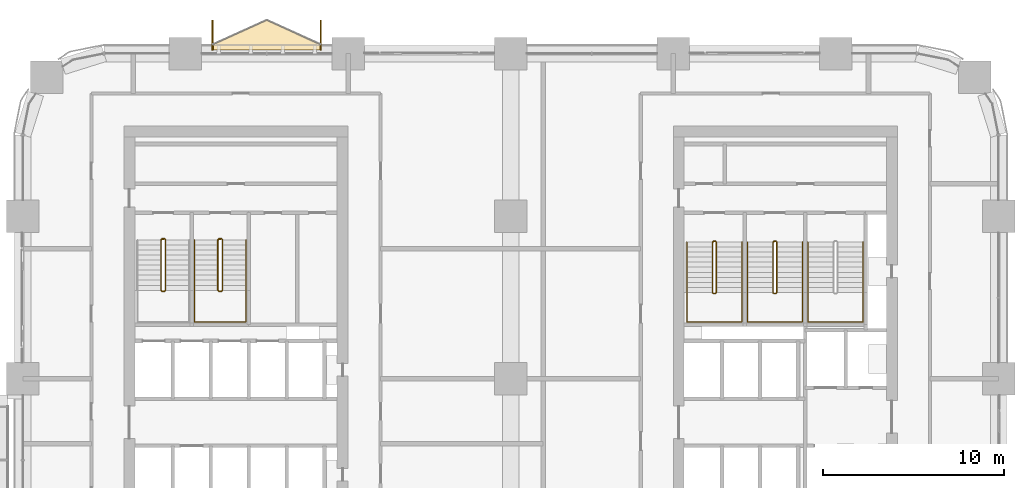
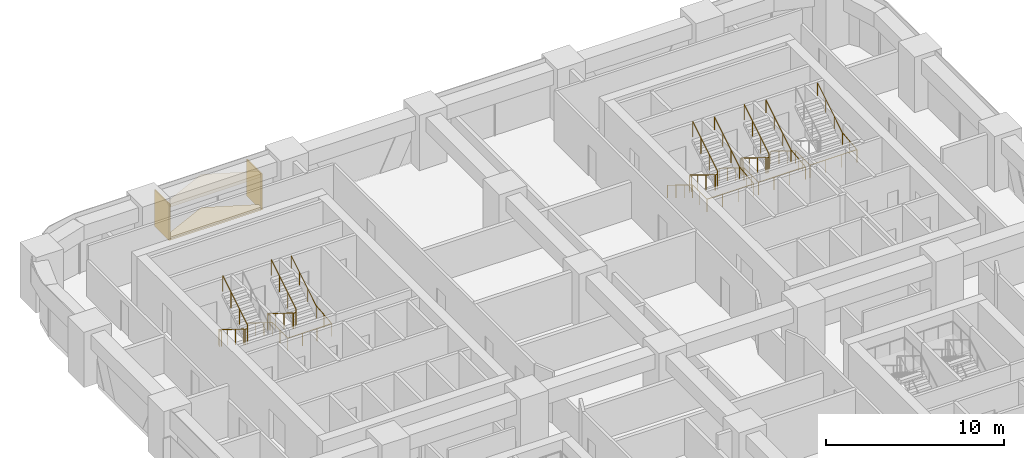
# One storey, part 22 of 23: 8 railings, 4 coverings.
"""IFC4 building model written with IfcOpenShell, lengths in metres."""

from ifc_helpers import new_model, si_unit, direction, frame, origin, origin_2d, place, context, subcontext, project, spatial, polyline, circle, outline, extrude, material, layer, layer_set, type_object, element, save


model = new_model("IFC4")

# Units and contexts
model_context = context("Model", 3, precision=1e-05, world=origin(), true_north=direction((0.0, 1.0)))
body_context = subcontext(model_context, "Body", "Model", "MODEL_VIEW")
ifc_project = project(units=[si_unit("LENGTHUNIT", "METRE"), si_unit("AREAUNIT", "SQUARE_METRE"), si_unit("VOLUMEUNIT", "CUBIC_METRE"), si_unit("PLANEANGLEUNIT", "RADIAN"), si_unit("MASSUNIT", "GRAM", prefix="KILO")], contexts=[model_context])

# Site, building, storey
site_placement = place(None, origin())
site = spatial("IfcSite", under=ifc_project, at=site_placement, CompositionType="ELEMENT")
building_placement = place(site_placement, origin())
building = spatial("IfcBuilding", under=site, at=building_placement, Name="Tessera Arch", CompositionType="ELEMENT")
storey_placement = place(building_placement, frame((0.0, 0.0, 57.60009765625)))
storey = spatial("IfcBuildingStorey", under=building, at=storey_placement, Name="L12", CompositionType="ELEMENT", Elevation=57.60009765625)

# Railings
ifc_material_1 = material(Name="Painted steel balustrade", Category="steel")
railing_type_1 = type_object("IfcRailingType", Name="Stair guard 1100", PredefinedType="GUARDRAIL", material=ifc_material_1)
railing_1_placement = place(storey_placement, frame((38.219970703125, 43.6298828125, 0.0)))
element("IfcRailing", 1, at=railing_1_placement, inside=storey, type_object=railing_type_1, Name="L12 S1a stair guard 1", PredefinedType="GUARDRAIL", context=body_context, shape_type="SweptSolid", body=[
    extrude(circle(Radius=0.02392578125, at=origin_2d()), frame((-0.00390625, 0.0, 1.076171875), z_axis=(1.0, 0.0, 0.0), x_axis=(0.0, 1.0, 0.0)), (0.0, 0.0, 1.0), 0.1181640625),
    extrude(circle(Radius=0.02392578125, at=origin_2d()), frame((0.11279296875, 0.000732421875, 1.0732421875), z_axis=(-0.665449600336, -0.206938595226, 0.717184249143), x_axis=(0.296948579431, -0.954893471113, 0.0)), (0.0, 0.0, 1.0), 0.248779296875),
    extrude(circle(Radius=0.02392578125, at=origin_2d()), frame((-0.050048828125, -0.04638671875, 1.24658203125), z_axis=(0.0, -0.851089632645, 0.525020415988), x_axis=(1.0, 0.0, 0.0)), (0.0, 0.0, 1.0), 3.2978515625),
    extrude(circle(Radius=0.02392578125, at=origin_2d()), frame((-0.052978515625, -2.846923828125, 2.97607421875), z_axis=(0.707106781187, -0.707106781187, 0.0), x_axis=(0.707106781187, 0.707106781187, 0.0)), (0.0, 0.0, 1.0), 0.078857421875),
    extrude(circle(Radius=0.02392578125, at=origin_2d()), frame((-0.00390625, -2.89990234375, 2.97607421875), z_axis=(1.0, 0.0, 0.0), x_axis=(0.0, 1.0, 0.0)), (0.0, 0.0, 1.0), 0.1181640625),
    extrude(circle(Radius=0.02392578125, at=origin_2d()), frame((0.109130859375, -2.90087890625, 2.97216796875), z_axis=(0.267062837333, 0.268371968888, 0.925556009775), x_axis=(-0.708833529934, 0.705375805398, 0.0)), (0.0, 0.0, 1.0), 0.194580078125),
    extrude(circle(Radius=0.02392578125, at=origin_2d()), frame((0.159912109375, -2.853271484375, 3.146484375), z_axis=(0.0, 0.851089632645, 0.525020415988), x_axis=(-1.0, 0.0, 0.0)), (0.0, 0.0, 1.0), 3.2978515625),
    extrude(circle(Radius=0.02099609375, at=origin_2d()), origin(), (0.0, 0.0, 1.0), 1.06396484375),
    extrude(circle(Radius=0.02099609375, at=origin_2d()), frame((0.110107421875, 0.0, 0.0)), (0.0, 0.0, 1.0), 1.06396484375),
    extrude(circle(Radius=0.02099609375, at=origin_2d()), frame((-0.050048828125, -0.0498046875, 0.172607421875)), (0.0, 0.0, 1.0), 1.06396484375),
    extrude(circle(Radius=0.02099609375, at=origin_2d()), frame((-0.050048828125, -0.983154296875, 0.748291015625)), (0.0, 0.0, 1.0), 1.06396484375),
    extrude(circle(Radius=0.02099609375, at=origin_2d()), frame((-0.050048828125, -1.91650390625, 1.32421875)), (0.0, 0.0, 1.0), 1.06396484375),
    extrude(circle(Radius=0.02099609375, at=origin_2d()), frame((-0.050048828125, -2.849853515625, 1.89990234375)), (0.0, 0.0, 1.0), 1.06396484375),
    extrude(circle(Radius=0.02099609375, at=origin_2d()), frame((0.0, -2.89990234375, 1.89990234375)), (0.0, 0.0, 1.0), 1.06396484375),
    extrude(circle(Radius=0.02099609375, at=origin_2d()), frame((0.110107421875, -2.89990234375, 1.89990234375)), (0.0, 0.0, 1.0), 1.06396484375),
    extrude(circle(Radius=0.02099609375, at=origin_2d()), frame((0.159912109375, -2.849853515625, 2.072509765625)), (0.0, 0.0, 1.0), 1.06396484375),
    extrude(circle(Radius=0.02099609375, at=origin_2d()), frame((0.159912109375, -1.91650390625, 2.648193359375)), (0.0, 0.0, 1.0), 1.06396484375),
    extrude(circle(Radius=0.02099609375, at=origin_2d()), frame((0.159912109375, -0.983154296875, 3.22412109375)), (0.0, 0.0, 1.0), 1.06396484375),
    extrude(circle(Radius=0.02099609375, at=origin_2d()), frame((0.159912109375, -0.0498046875, 3.7998046875)), (0.0, 0.0, 1.0), 1.06396484375),
])
railing_2_placement = place(storey_placement, frame((41.570068359375, 43.6298828125, 0.0)))
element("IfcRailing", 2, at=railing_2_placement, inside=storey, type_object=railing_type_1, Name="L12 S1b stair guard 1", PredefinedType="GUARDRAIL", context=body_context, shape_type="SweptSolid", body=[
    extrude(circle(Radius=0.02392578125, at=origin_2d()), frame((-0.00390625, 0.0, 1.076171875), z_axis=(1.0, 0.0, 0.0), x_axis=(0.0, 1.0, 0.0)), (0.0, 0.0, 1.0), 0.117919921875),
    extrude(circle(Radius=0.02392578125, at=origin_2d()), frame((0.112548828125, 0.000732421875, 1.0732421875), z_axis=(-0.664883824791, -0.207078321004, 0.717668494851), x_axis=(0.297361876254, -0.954764847777, 0.0)), (0.0, 0.0, 1.0), 0.24853515625),
    extrude(circle(Radius=0.02392578125, at=origin_2d()), frame((-0.050048828125, -0.04638671875, 1.24658203125), z_axis=(0.0, -0.851089632645, 0.525020415988), x_axis=(1.0, 0.0, 0.0)), (0.0, 0.0, 1.0), 3.2978515625),
    extrude(circle(Radius=0.02392578125, at=origin_2d()), frame((-0.052978515625, -2.846923828125, 2.97607421875), z_axis=(0.707106781187, -0.707106781187, 0.0), x_axis=(0.707106781187, 0.707106781187, 0.0)), (0.0, 0.0, 1.0), 0.078857421875),
    extrude(circle(Radius=0.02392578125, at=origin_2d()), frame((-0.00390625, -2.89990234375, 2.97607421875), z_axis=(1.0, 0.0, 0.0), x_axis=(0.0, 1.0, 0.0)), (0.0, 0.0, 1.0), 0.117919921875),
    extrude(circle(Radius=0.02392578125, at=origin_2d()), frame((0.10888671875, -2.90087890625, 2.97216796875), z_axis=(0.268277960024, 0.268277960024, 0.925231793839), x_axis=(-0.707106781187, 0.707106781187, 0.0)), (0.0, 0.0, 1.0), 0.194580078125),
    extrude(circle(Radius=0.02392578125, at=origin_2d()), frame((0.159912109375, -2.853271484375, 3.146484375), z_axis=(0.0, 0.851089632645, 0.525020415988), x_axis=(-1.0, 0.0, 0.0)), (0.0, 0.0, 1.0), 3.2978515625),
    extrude(circle(Radius=0.02099609375, at=origin_2d()), origin(), (0.0, 0.0, 1.0), 1.06396484375),
    extrude(circle(Radius=0.02099609375, at=origin_2d()), frame((0.10986328125, 0.0, 0.0)), (0.0, 0.0, 1.0), 1.06396484375),
    extrude(circle(Radius=0.02099609375, at=origin_2d()), frame((-0.050048828125, -0.0498046875, 0.172607421875)), (0.0, 0.0, 1.0), 1.06396484375),
    extrude(circle(Radius=0.02099609375, at=origin_2d()), frame((-0.050048828125, -0.983154296875, 0.748291015625)), (0.0, 0.0, 1.0), 1.06396484375),
    extrude(circle(Radius=0.02099609375, at=origin_2d()), frame((-0.050048828125, -1.91650390625, 1.32421875)), (0.0, 0.0, 1.0), 1.06396484375),
    extrude(circle(Radius=0.02099609375, at=origin_2d()), frame((-0.050048828125, -2.849853515625, 1.89990234375)), (0.0, 0.0, 1.0), 1.06396484375),
    extrude(circle(Radius=0.02099609375, at=origin_2d()), frame((0.0, -2.89990234375, 1.89990234375)), (0.0, 0.0, 1.0), 1.06396484375),
    extrude(circle(Radius=0.02099609375, at=origin_2d()), frame((0.10986328125, -2.89990234375, 1.89990234375)), (0.0, 0.0, 1.0), 1.06396484375),
    extrude(circle(Radius=0.02099609375, at=origin_2d()), frame((0.159912109375, -2.849853515625, 2.072509765625)), (0.0, 0.0, 1.0), 1.06396484375),
    extrude(circle(Radius=0.02099609375, at=origin_2d()), frame((0.159912109375, -1.91650390625, 2.648193359375)), (0.0, 0.0, 1.0), 1.06396484375),
    extrude(circle(Radius=0.02099609375, at=origin_2d()), frame((0.159912109375, -0.983154296875, 3.22412109375)), (0.0, 0.0, 1.0), 1.06396484375),
    extrude(circle(Radius=0.02099609375, at=origin_2d()), frame((0.159912109375, -0.0498046875, 3.7998046875)), (0.0, 0.0, 1.0), 1.06396484375),
])
railing_3_placement = place(storey_placement, frame((7.699951171875, 43.75, 0.0)))
element("IfcRailing", 3, at=railing_3_placement, inside=storey, type_object=railing_type_1, Name="L12 S2a stair guard 1", PredefinedType="GUARDRAIL", context=body_context, shape_type="SweptSolid", body=[
    extrude(circle(Radius=0.02392578125, at=origin_2d()), frame((-0.00390625, 0.0, 1.076171875), z_axis=(1.0, 0.0, 0.0), x_axis=(0.0, 1.0, 0.0)), (0.0, 0.0, 1.0), 0.158203125),
    extrude(circle(Radius=0.02392578125, at=origin_2d()), frame((0.153076171875, 0.000732421875, 1.073486328125), z_axis=(-0.744141464035, -0.186035366009, 0.641595140332), x_axis=(0.242535625036, -0.970142500145, 0.0)), (0.0, 0.0, 1.0), 0.277099609375),
    extrude(circle(Radius=0.02392578125, at=origin_2d()), frame((-0.050048828125, -0.046630859375, 1.24658203125), z_axis=(0.0, -0.851089632645, 0.525020415988), x_axis=(1.0, 0.0, 0.0)), (0.0, 0.0, 1.0), 3.2978515625),
    extrude(circle(Radius=0.02392578125, at=origin_2d()), frame((-0.052978515625, -2.84716796875, 2.97607421875), z_axis=(0.708833529934, -0.705375805398, 0.0), x_axis=(0.705375805398, 0.708833529934, 0.0)), (0.0, 0.0, 1.0), 0.07861328125),
    extrude(circle(Radius=0.02392578125, at=origin_2d()), frame((-0.00390625, -2.89990234375, 2.97607421875), z_axis=(1.0, 0.0, 0.0), x_axis=(0.0, 1.0, 0.0)), (0.0, 0.0, 1.0), 0.158203125),
    extrude(circle(Radius=0.02392578125, at=origin_2d()), frame((0.149169921875, -2.90087890625, 2.97216796875), z_axis=(0.26715648603, 0.26715648603, 0.925880566782), x_axis=(-0.707106781187, 0.707106781187, 0.0)), (0.0, 0.0, 1.0), 0.1943359375),
    extrude(circle(Radius=0.02392578125, at=origin_2d()), frame((0.199951171875, -2.853515625, 3.146484375), z_axis=(0.0, 0.851089632645, 0.525020415988), x_axis=(-1.0, 0.0, 0.0)), (0.0, 0.0, 1.0), 3.2978515625),
    extrude(circle(Radius=0.02099609375, at=origin_2d()), origin(), (0.0, 0.0, 1.0), 1.06396484375),
    extrude(circle(Radius=0.02099609375, at=origin_2d()), frame((0.150146484375, 0.0, 0.0)), (0.0, 0.0, 1.0), 1.06396484375),
    extrude(circle(Radius=0.02099609375, at=origin_2d()), frame((-0.050048828125, -0.050048828125, 0.172607421875)), (0.0, 0.0, 1.0), 1.06396484375),
    extrude(circle(Radius=0.02099609375, at=origin_2d()), frame((-0.050048828125, -0.9833984375, 0.748291015625)), (0.0, 0.0, 1.0), 1.06396484375),
    extrude(circle(Radius=0.02099609375, at=origin_2d()), frame((-0.050048828125, -1.916748046875, 1.32421875)), (0.0, 0.0, 1.0), 1.06396484375),
    extrude(circle(Radius=0.02099609375, at=origin_2d()), frame((-0.050048828125, -2.85009765625, 1.89990234375)), (0.0, 0.0, 1.0), 1.06396484375),
    extrude(circle(Radius=0.02099609375, at=origin_2d()), frame((0.0, -2.89990234375, 1.89990234375)), (0.0, 0.0, 1.0), 1.06396484375),
    extrude(circle(Radius=0.02099609375, at=origin_2d()), frame((0.150146484375, -2.89990234375, 1.89990234375)), (0.0, 0.0, 1.0), 1.06396484375),
    extrude(circle(Radius=0.02099609375, at=origin_2d()), frame((0.199951171875, -2.85009765625, 2.072509765625)), (0.0, 0.0, 1.0), 1.06396484375),
    extrude(circle(Radius=0.02099609375, at=origin_2d()), frame((0.199951171875, -1.916748046875, 2.648193359375)), (0.0, 0.0, 1.0), 1.06396484375),
    extrude(circle(Radius=0.02099609375, at=origin_2d()), frame((0.199951171875, -0.9833984375, 3.22412109375)), (0.0, 0.0, 1.0), 1.06396484375),
    extrude(circle(Radius=0.02099609375, at=origin_2d()), frame((0.199951171875, -0.050048828125, 3.7998046875)), (0.0, 0.0, 1.0), 1.06396484375),
])
railing_4_placement = place(storey_placement, frame((10.85009765625, 43.75, 0.0)))
element("IfcRailing", 4, at=railing_4_placement, inside=storey, type_object=railing_type_1, Name="L12 S2b stair guard 1", PredefinedType="GUARDRAIL", context=body_context, shape_type="SweptSolid", body=[
    extrude(circle(Radius=0.02392578125, at=origin_2d()), frame((-0.00390625, 0.0, 1.076171875), z_axis=(1.0, 0.0, 0.0), x_axis=(0.0, 1.0, 0.0)), (0.0, 0.0, 1.0), 0.157958984375),
    extrude(circle(Radius=0.02392578125, at=origin_2d()), frame((0.15283203125, 0.000732421875, 1.073486328125), z_axis=(-0.743736083135, -0.18616104645, 0.642028584587), x_axis=(0.242814311512, -0.970072785993, 0.0)), (0.0, 0.0, 1.0), 0.27685546875),
    extrude(circle(Radius=0.02392578125, at=origin_2d()), frame((-0.050048828125, -0.046630859375, 1.24658203125), z_axis=(0.0, -0.851089632645, 0.525020415988), x_axis=(1.0, 0.0, 0.0)), (0.0, 0.0, 1.0), 3.2978515625),
    extrude(circle(Radius=0.02392578125, at=origin_2d()), frame((-0.052978515625, -2.84716796875, 2.97607421875), z_axis=(0.708833529934, -0.705375805398, 0.0), x_axis=(0.705375805398, 0.708833529934, 0.0)), (0.0, 0.0, 1.0), 0.07861328125),
    extrude(circle(Radius=0.02392578125, at=origin_2d()), frame((-0.00390625, -2.89990234375, 2.97607421875), z_axis=(1.0, 0.0, 0.0), x_axis=(0.0, 1.0, 0.0)), (0.0, 0.0, 1.0), 0.157958984375),
    extrude(circle(Radius=0.02392578125, at=origin_2d()), frame((0.14892578125, -2.90087890625, 2.97216796875), z_axis=(0.268371968888, 0.267062837333, 0.925556009775), x_axis=(-0.705375805398, 0.708833529934, 0.0)), (0.0, 0.0, 1.0), 0.194580078125),
    extrude(circle(Radius=0.02392578125, at=origin_2d()), frame((0.199951171875, -2.853515625, 3.146484375), z_axis=(0.0, 0.851089632645, 0.525020415988), x_axis=(-1.0, 0.0, 0.0)), (0.0, 0.0, 1.0), 3.2978515625),
    extrude(circle(Radius=0.02099609375, at=origin_2d()), origin(), (0.0, 0.0, 1.0), 1.06396484375),
    extrude(circle(Radius=0.02099609375, at=origin_2d()), frame((0.14990234375, 0.0, 0.0)), (0.0, 0.0, 1.0), 1.06396484375),
    extrude(circle(Radius=0.02099609375, at=origin_2d()), frame((-0.050048828125, -0.050048828125, 0.172607421875)), (0.0, 0.0, 1.0), 1.06396484375),
    extrude(circle(Radius=0.02099609375, at=origin_2d()), frame((-0.050048828125, -0.9833984375, 0.748291015625)), (0.0, 0.0, 1.0), 1.06396484375),
    extrude(circle(Radius=0.02099609375, at=origin_2d()), frame((-0.050048828125, -1.916748046875, 1.32421875)), (0.0, 0.0, 1.0), 1.06396484375),
    extrude(circle(Radius=0.02099609375, at=origin_2d()), frame((-0.050048828125, -2.85009765625, 1.89990234375)), (0.0, 0.0, 1.0), 1.06396484375),
    extrude(circle(Radius=0.02099609375, at=origin_2d()), frame((0.0, -2.89990234375, 1.89990234375)), (0.0, 0.0, 1.0), 1.06396484375),
    extrude(circle(Radius=0.02099609375, at=origin_2d()), frame((0.14990234375, -2.89990234375, 1.89990234375)), (0.0, 0.0, 1.0), 1.06396484375),
    extrude(circle(Radius=0.02099609375, at=origin_2d()), frame((0.199951171875, -2.85009765625, 2.072509765625)), (0.0, 0.0, 1.0), 1.06396484375),
    extrude(circle(Radius=0.02099609375, at=origin_2d()), frame((0.199951171875, -1.916748046875, 2.648193359375)), (0.0, 0.0, 1.0), 1.06396484375),
    extrude(circle(Radius=0.02099609375, at=origin_2d()), frame((0.199951171875, -0.9833984375, 3.22412109375)), (0.0, 0.0, 1.0), 1.06396484375),
    extrude(circle(Radius=0.02099609375, at=origin_2d()), frame((0.199951171875, -0.050048828125, 3.7998046875)), (0.0, 0.0, 1.0), 1.06396484375),
])
ifc_material_2 = material(Name="Painted steel handrail", Category="steel")
railing_type_2 = type_object("IfcRailingType", Name="Stair handrail 900", PredefinedType="HANDRAIL", material=ifc_material_2)
railing_5_placement = place(storey_placement, frame((36.75, 43.580078125, 0.172607421875)))
element("IfcRailing", 5, at=railing_5_placement, inside=storey, type_object=railing_type_2, Name="L12 S1a stair handrail", PredefinedType="HANDRAIL", context=body_context, shape_type="SweptSolid", body=[
    extrude(circle(Radius=0.02392578125, at=origin_2d()), frame((0.0, 0.00341796875, 0.873779296875), z_axis=(0.0, -0.851089632645, 0.525020415988), x_axis=(1.0, 0.0, 0.0)), (0.0, 0.0, 1.0), 3.2978515625),
    extrude(circle(Radius=0.02392578125, at=origin_2d()), frame((0.0, -2.796142578125, 2.60302734375), z_axis=(0.0, -1.0, 0.0), x_axis=(1.0, 0.0, 0.0)), (0.0, 0.0, 1.0), 1.63818359375),
    extrude(circle(Radius=0.02392578125, at=origin_2d()), frame((-0.00390625, -4.43017578125, 2.60302734375), z_axis=(1.0, 0.0, 0.0), x_axis=(0.0, 1.0, 0.0)), (0.0, 0.0, 1.0), 3.05810546875),
    extrude(circle(Radius=0.02392578125, at=origin_2d()), frame((3.050048828125, -4.43408203125, 2.602783203125), z_axis=(0.0, 0.994440793715, 0.105297235459), x_axis=(-1.0, 0.0, 0.0)), (0.0, 0.0, 1.0), 1.647216796875),
    extrude(circle(Radius=0.02392578125, at=origin_2d()), frame((3.050048828125, -2.803466796875, 2.773681640625), z_axis=(0.0, 0.851089632645, 0.525020415988), x_axis=(-1.0, 0.0, 0.0)), (0.0, 0.0, 1.0), 3.2978515625),
    extrude(circle(Radius=0.02099609375, at=origin_2d()), origin(), (0.0, 0.0, 1.0), 0.86376953125),
    extrude(circle(Radius=0.02099609375, at=origin_2d()), frame((0.0, -0.933349609375, 0.57568359375)), (0.0, 0.0, 1.0), 0.86376953125),
    extrude(circle(Radius=0.02099609375, at=origin_2d()), frame((0.0, -1.86669921875, 1.151611328125)), (0.0, 0.0, 1.0), 0.86376953125),
    extrude(circle(Radius=0.02099609375, at=origin_2d()), frame((0.0, -2.800048828125, 1.727294921875)), (0.0, 0.0, 1.0), 0.86376953125),
    extrude(circle(Radius=0.02099609375, at=origin_2d()), frame((0.0, -3.615234375, 1.727294921875)), (0.0, 0.0, 1.0), 0.86376953125),
    extrude(circle(Radius=0.02099609375, at=origin_2d()), frame((0.0, -4.43017578125, 1.727294921875)), (0.0, 0.0, 1.0), 0.86376953125),
    extrude(circle(Radius=0.02099609375, at=origin_2d()), frame((1.0166015625, -4.43017578125, 1.727294921875)), (0.0, 0.0, 1.0), 0.86376953125),
    extrude(circle(Radius=0.02099609375, at=origin_2d()), frame((2.033447265625, -4.43017578125, 1.727294921875)), (0.0, 0.0, 1.0), 0.86376953125),
    extrude(circle(Radius=0.02099609375, at=origin_2d()), frame((3.050048828125, -4.43017578125, 1.727294921875)), (0.0, 0.0, 1.0), 0.86376953125),
    extrude(circle(Radius=0.02099609375, at=origin_2d()), frame((3.050048828125, -3.615234375, 1.8134765625)), (0.0, 0.0, 1.0), 0.86376953125),
    extrude(circle(Radius=0.02099609375, at=origin_2d()), frame((3.050048828125, -2.800048828125, 1.89990234375)), (0.0, 0.0, 1.0), 0.86376953125),
    extrude(circle(Radius=0.02099609375, at=origin_2d()), frame((3.050048828125, -1.86669921875, 2.4755859375)), (0.0, 0.0, 1.0), 0.86376953125),
    extrude(circle(Radius=0.02099609375, at=origin_2d()), frame((3.050048828125, -0.933349609375, 3.051513671875)), (0.0, 0.0, 1.0), 0.86376953125),
    extrude(circle(Radius=0.02099609375, at=origin_2d()), frame((3.050048828125, 0.0, 3.627197265625)), (0.0, 0.0, 1.0), 0.86376953125),
])
railing_6_placement = place(storey_placement, frame((40.10009765625, 43.580078125, 0.172607421875)))
element("IfcRailing", 6, at=railing_6_placement, inside=storey, type_object=railing_type_2, Name="L12 S1b stair handrail", PredefinedType="HANDRAIL", context=body_context, shape_type="SweptSolid", body=[
    extrude(circle(Radius=0.02392578125, at=origin_2d()), frame((0.0, 0.00341796875, 0.873779296875), z_axis=(0.0, -0.851089632645, 0.525020415988), x_axis=(1.0, 0.0, 0.0)), (0.0, 0.0, 1.0), 3.2978515625),
    extrude(circle(Radius=0.02392578125, at=origin_2d()), frame((0.0, -2.796142578125, 2.60302734375), z_axis=(0.0, -1.0, 0.0), x_axis=(1.0, 0.0, 0.0)), (0.0, 0.0, 1.0), 1.63818359375),
    extrude(circle(Radius=0.02392578125, at=origin_2d()), frame((-0.00390625, -4.43017578125, 2.60302734375), z_axis=(1.0, 0.0, 0.0), x_axis=(0.0, 1.0, 0.0)), (0.0, 0.0, 1.0), 3.057861328125),
    extrude(circle(Radius=0.02392578125, at=origin_2d()), frame((3.0498046875, -4.43408203125, 2.602783203125), z_axis=(0.0, 0.994440793715, 0.105297235459), x_axis=(-1.0, 0.0, 0.0)), (0.0, 0.0, 1.0), 1.647216796875),
    extrude(circle(Radius=0.02392578125, at=origin_2d()), frame((3.0498046875, -2.803466796875, 2.773681640625), z_axis=(0.0, 0.851089632645, 0.525020415988), x_axis=(-1.0, 0.0, 0.0)), (0.0, 0.0, 1.0), 3.2978515625),
    extrude(circle(Radius=0.02099609375, at=origin_2d()), origin(), (0.0, 0.0, 1.0), 0.86376953125),
    extrude(circle(Radius=0.02099609375, at=origin_2d()), frame((0.0, -0.933349609375, 0.57568359375)), (0.0, 0.0, 1.0), 0.86376953125),
    extrude(circle(Radius=0.02099609375, at=origin_2d()), frame((0.0, -1.86669921875, 1.151611328125)), (0.0, 0.0, 1.0), 0.86376953125),
    extrude(circle(Radius=0.02099609375, at=origin_2d()), frame((0.0, -2.800048828125, 1.727294921875)), (0.0, 0.0, 1.0), 0.86376953125),
    extrude(circle(Radius=0.02099609375, at=origin_2d()), frame((0.0, -3.615234375, 1.727294921875)), (0.0, 0.0, 1.0), 0.86376953125),
    extrude(circle(Radius=0.02099609375, at=origin_2d()), frame((0.0, -4.43017578125, 1.727294921875)), (0.0, 0.0, 1.0), 0.86376953125),
    extrude(circle(Radius=0.02099609375, at=origin_2d()), frame((1.0166015625, -4.43017578125, 1.727294921875)), (0.0, 0.0, 1.0), 0.86376953125),
    extrude(circle(Radius=0.02099609375, at=origin_2d()), frame((2.033203125, -4.43017578125, 1.727294921875)), (0.0, 0.0, 1.0), 0.86376953125),
    extrude(circle(Radius=0.02099609375, at=origin_2d()), frame((3.0498046875, -4.43017578125, 1.727294921875)), (0.0, 0.0, 1.0), 0.86376953125),
    extrude(circle(Radius=0.02099609375, at=origin_2d()), frame((3.0498046875, -3.615234375, 1.8134765625)), (0.0, 0.0, 1.0), 0.86376953125),
    extrude(circle(Radius=0.02099609375, at=origin_2d()), frame((3.0498046875, -2.800048828125, 1.89990234375)), (0.0, 0.0, 1.0), 0.86376953125),
    extrude(circle(Radius=0.02099609375, at=origin_2d()), frame((3.0498046875, -1.86669921875, 2.4755859375)), (0.0, 0.0, 1.0), 0.86376953125),
    extrude(circle(Radius=0.02099609375, at=origin_2d()), frame((3.0498046875, -0.933349609375, 3.051513671875)), (0.0, 0.0, 1.0), 0.86376953125),
    extrude(circle(Radius=0.02099609375, at=origin_2d()), frame((3.0498046875, 0.0, 3.627197265625)), (0.0, 0.0, 1.0), 0.86376953125),
])
railing_7_placement = place(storey_placement, frame((43.449951171875, 43.580078125, 0.172607421875)))
element("IfcRailing", 7, at=railing_7_placement, inside=storey, type_object=railing_type_2, Name="L12 S1c stair handrail", PredefinedType="HANDRAIL", context=body_context, shape_type="SweptSolid", body=[
    extrude(circle(Radius=0.02392578125, at=origin_2d()), frame((0.0, 0.00341796875, 0.873779296875), z_axis=(0.0, -0.851089632645, 0.525020415988), x_axis=(1.0, 0.0, 0.0)), (0.0, 0.0, 1.0), 3.2978515625),
    extrude(circle(Radius=0.02392578125, at=origin_2d()), frame((0.0, -2.796142578125, 2.60302734375), z_axis=(0.0, -1.0, 0.0), x_axis=(1.0, 0.0, 0.0)), (0.0, 0.0, 1.0), 1.63818359375),
    extrude(circle(Radius=0.02392578125, at=origin_2d()), frame((-0.00390625, -4.43017578125, 2.60302734375), z_axis=(1.0, 0.0, 0.0), x_axis=(0.0, 1.0, 0.0)), (0.0, 0.0, 1.0), 3.05810546875),
    extrude(circle(Radius=0.02392578125, at=origin_2d()), frame((3.050048828125, -4.43408203125, 2.602783203125), z_axis=(0.0, 0.994440793715, 0.105297235459), x_axis=(-1.0, 0.0, 0.0)), (0.0, 0.0, 1.0), 1.647216796875),
    extrude(circle(Radius=0.02392578125, at=origin_2d()), frame((3.050048828125, -2.803466796875, 2.773681640625), z_axis=(0.0, 0.851089632645, 0.525020415988), x_axis=(-1.0, 0.0, 0.0)), (0.0, 0.0, 1.0), 3.2978515625),
    extrude(circle(Radius=0.02099609375, at=origin_2d()), origin(), (0.0, 0.0, 1.0), 0.86376953125),
    extrude(circle(Radius=0.02099609375, at=origin_2d()), frame((0.0, -0.933349609375, 0.57568359375)), (0.0, 0.0, 1.0), 0.86376953125),
    extrude(circle(Radius=0.02099609375, at=origin_2d()), frame((0.0, -1.86669921875, 1.151611328125)), (0.0, 0.0, 1.0), 0.86376953125),
    extrude(circle(Radius=0.02099609375, at=origin_2d()), frame((0.0, -2.800048828125, 1.727294921875)), (0.0, 0.0, 1.0), 0.86376953125),
    extrude(circle(Radius=0.02099609375, at=origin_2d()), frame((0.0, -3.615234375, 1.727294921875)), (0.0, 0.0, 1.0), 0.86376953125),
    extrude(circle(Radius=0.02099609375, at=origin_2d()), frame((0.0, -4.43017578125, 1.727294921875)), (0.0, 0.0, 1.0), 0.86376953125),
    extrude(circle(Radius=0.02099609375, at=origin_2d()), frame((1.0166015625, -4.43017578125, 1.727294921875)), (0.0, 0.0, 1.0), 0.86376953125),
    extrude(circle(Radius=0.02099609375, at=origin_2d()), frame((2.033447265625, -4.43017578125, 1.727294921875)), (0.0, 0.0, 1.0), 0.86376953125),
    extrude(circle(Radius=0.02099609375, at=origin_2d()), frame((3.050048828125, -4.43017578125, 1.727294921875)), (0.0, 0.0, 1.0), 0.86376953125),
    extrude(circle(Radius=0.02099609375, at=origin_2d()), frame((3.050048828125, -3.615234375, 1.8134765625)), (0.0, 0.0, 1.0), 0.86376953125),
    extrude(circle(Radius=0.02099609375, at=origin_2d()), frame((3.050048828125, -2.800048828125, 1.89990234375)), (0.0, 0.0, 1.0), 0.86376953125),
    extrude(circle(Radius=0.02099609375, at=origin_2d()), frame((3.050048828125, -1.86669921875, 2.4755859375)), (0.0, 0.0, 1.0), 0.86376953125),
    extrude(circle(Radius=0.02099609375, at=origin_2d()), frame((3.050048828125, -0.933349609375, 3.051513671875)), (0.0, 0.0, 1.0), 0.86376953125),
    extrude(circle(Radius=0.02099609375, at=origin_2d()), frame((3.050048828125, 0.0, 3.627197265625)), (0.0, 0.0, 1.0), 0.86376953125),
])
railing_8_placement = place(storey_placement, frame((9.5, 43.699951171875, 0.172607421875)))
element("IfcRailing", 8, at=railing_8_placement, inside=storey, type_object=railing_type_2, Name="L12 S2b stair handrail", PredefinedType="HANDRAIL", context=body_context, shape_type="SweptSolid", body=[
    extrude(circle(Radius=0.02392578125, at=origin_2d()), frame((0.0, 0.00341796875, 0.873779296875), z_axis=(0.0, -0.851089632645, 0.525020415988), x_axis=(1.0, 0.0, 0.0)), (0.0, 0.0, 1.0), 3.2978515625),
    extrude(circle(Radius=0.02392578125, at=origin_2d()), frame((0.0, -2.796142578125, 2.60302734375), z_axis=(0.0, -1.0, 0.0), x_axis=(1.0, 0.0, 0.0)), (0.0, 0.0, 1.0), 1.758056640625),
    extrude(circle(Radius=0.02392578125, at=origin_2d()), frame((-0.00390625, -4.550048828125, 2.60302734375), z_axis=(1.0, 0.0, 0.0), x_axis=(0.0, 1.0, 0.0)), (0.0, 0.0, 1.0), 2.858154296875),
    extrude(circle(Radius=0.02392578125, at=origin_2d()), frame((2.85009765625, -4.553955078125, 2.602783203125), z_axis=(0.0, 0.995170989745, 0.098156513637), x_axis=(-1.0, 0.0, 0.0)), (0.0, 0.0, 1.0), 1.7666015625),
    extrude(circle(Radius=0.02392578125, at=origin_2d()), frame((2.85009765625, -2.803466796875, 2.773681640625), z_axis=(0.0, 0.851089632645, 0.525020415988), x_axis=(-1.0, 0.0, 0.0)), (0.0, 0.0, 1.0), 3.2978515625),
    extrude(circle(Radius=0.02099609375, at=origin_2d()), origin(), (0.0, 0.0, 1.0), 0.86376953125),
    extrude(circle(Radius=0.02099609375, at=origin_2d()), frame((0.0, -0.933349609375, 0.57568359375)), (0.0, 0.0, 1.0), 0.86376953125),
    extrude(circle(Radius=0.02099609375, at=origin_2d()), frame((0.0, -1.86669921875, 1.151611328125)), (0.0, 0.0, 1.0), 0.86376953125),
    extrude(circle(Radius=0.02099609375, at=origin_2d()), frame((0.0, -2.800048828125, 1.727294921875)), (0.0, 0.0, 1.0), 0.86376953125),
    extrude(circle(Radius=0.02099609375, at=origin_2d()), frame((0.0, -3.675048828125, 1.727294921875)), (0.0, 0.0, 1.0), 0.86376953125),
    extrude(circle(Radius=0.02099609375, at=origin_2d()), frame((0.0, -4.550048828125, 1.727294921875)), (0.0, 0.0, 1.0), 0.86376953125),
    extrude(circle(Radius=0.02099609375, at=origin_2d()), frame((0.949951171875, -4.550048828125, 1.727294921875)), (0.0, 0.0, 1.0), 0.86376953125),
    extrude(circle(Radius=0.02099609375, at=origin_2d()), frame((1.900146484375, -4.550048828125, 1.727294921875)), (0.0, 0.0, 1.0), 0.86376953125),
    extrude(circle(Radius=0.02099609375, at=origin_2d()), frame((2.85009765625, -4.550048828125, 1.727294921875)), (0.0, 0.0, 1.0), 0.86376953125),
    extrude(circle(Radius=0.02099609375, at=origin_2d()), frame((2.85009765625, -3.675048828125, 1.8134765625)), (0.0, 0.0, 1.0), 0.86376953125),
    extrude(circle(Radius=0.02099609375, at=origin_2d()), frame((2.85009765625, -2.800048828125, 1.89990234375)), (0.0, 0.0, 1.0), 0.86376953125),
    extrude(circle(Radius=0.02099609375, at=origin_2d()), frame((2.85009765625, -1.86669921875, 2.4755859375)), (0.0, 0.0, 1.0), 0.86376953125),
    extrude(circle(Radius=0.02099609375, at=origin_2d()), frame((2.85009765625, -0.933349609375, 3.051513671875)), (0.0, 0.0, 1.0), 0.86376953125),
    extrude(circle(Radius=0.02099609375, at=origin_2d()), frame((2.85009765625, 0.0, 3.627197265625)), (0.0, 0.0, 1.0), 0.86376953125),
])

# Coverings
ifc_material_3 = material(Name="Anodised aluminium pale metal", Category="aluminium")
ifc_layer_1 = layer(ifc_material_3, 0.080078125)
ifc_layer_set_1 = layer_set([ifc_layer_1], Name="Window box cheek")
covering_type_1 = type_object("IfcCoveringType", Name="Window box cheek", PredefinedType="CLADDING", material=ifc_layer_set_1)
covering_1_placement = place(storey_placement, origin())
element("IfcCovering", 9, at=covering_1_placement, inside=storey, type_object=covering_type_1, Name="Window box N54.0/4.0 2x1 cheek", PredefinedType="CLADDING", context=body_context, shape_type="SweptSolid", body=[
    extrude(outline(polyline([(16.530029296875, 55.85009765625), (16.449951171875, 55.85009765625), (16.449951171875, 54.199951171875), (16.530029296875, 54.199951171875), (16.530029296875, 55.85009765625)])), origin(), (0.0, 0.0, 1.0), 2.5),
])
covering_2_placement = place(storey_placement, origin())
element("IfcCovering", 10, at=covering_2_placement, inside=storey, type_object=covering_type_1, Name="Window box N54.0/4.0 2x1 cheek", PredefinedType="CLADDING", context=body_context, shape_type="SweptSolid", body=[
    extrude(outline(polyline([(10.550048828125, 55.85009765625), (10.469970703125, 55.85009765625), (10.469970703125, 54.199951171875), (10.550048828125, 54.199951171875), (10.550048828125, 55.85009765625)])), origin(), (0.0, 0.0, 1.0), 2.5),
])
ifc_material_4 = material(Name="Anodised aluminium pale metal", Category="aluminium")
ifc_layer_2 = layer(ifc_material_4, 0.219970703125)
ifc_layer_set_2 = layer_set([ifc_layer_2], Name="Window box frame plate pale metal")
covering_type_2 = type_object("IfcCoveringType", Name="Window box frame plate pale metal", PredefinedType="CLADDING", material=ifc_layer_set_2)
covering_3_placement = place(storey_placement, origin())
element("IfcCovering", 11, at=covering_3_placement, inside=storey, type_object=covering_type_2, Name="Window box N54.0/4.0 2x1 floor", PredefinedType="CLADDING", context=body_context, shape_type="SweptSolid", body=[
    extrude(outline(polyline([(16.449951171875, 54.510009765625), (13.5, 55.85009765625), (10.550048828125, 54.510009765625), (10.550048828125, 54.199951171875), (16.449951171875, 54.199951171875), (16.449951171875, 54.510009765625)])), origin(), (0.0, 0.0, 1.0), 0.219970703125),
])
covering_4_placement = place(storey_placement, frame((0.0, 0.0, 2.27978515625)))
element("IfcCovering", 12, at=covering_4_placement, inside=storey, type_object=covering_type_2, Name="Window box N54.0/4.0 2x1 roof", PredefinedType="CLADDING", context=body_context, shape_type="SweptSolid", body=[
    extrude(outline(polyline([(16.449951171875, 54.510009765625), (13.5, 55.85009765625), (10.550048828125, 54.510009765625), (10.550048828125, 54.199951171875), (16.449951171875, 54.199951171875), (16.449951171875, 54.510009765625)])), origin(), (0.0, 0.0, 1.0), 0.22021484375),
])

save(model, "model.ifc")
